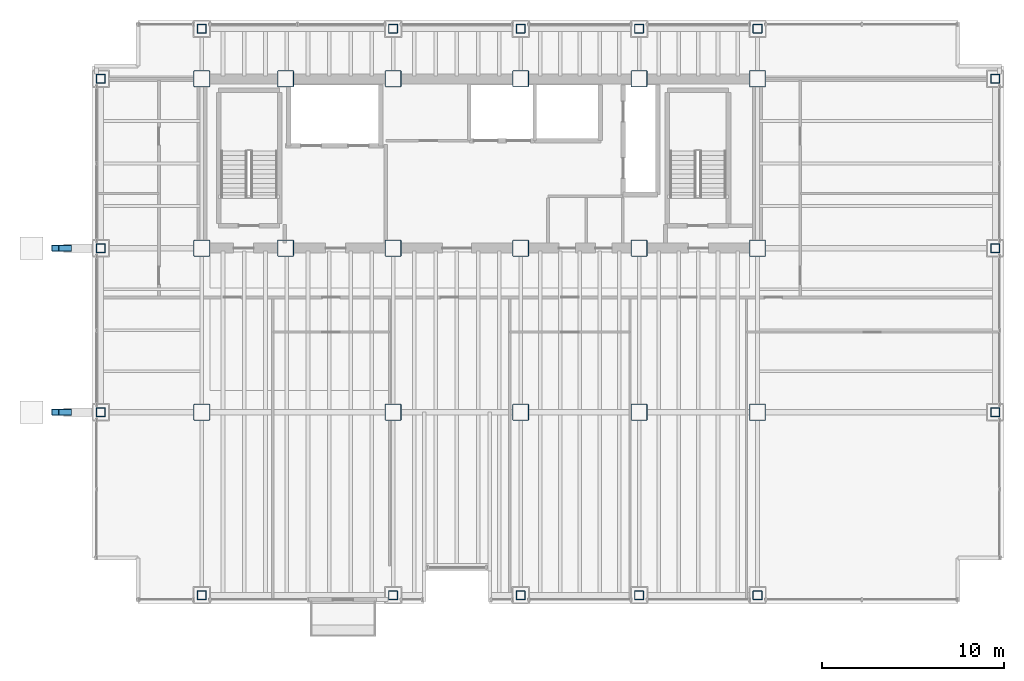
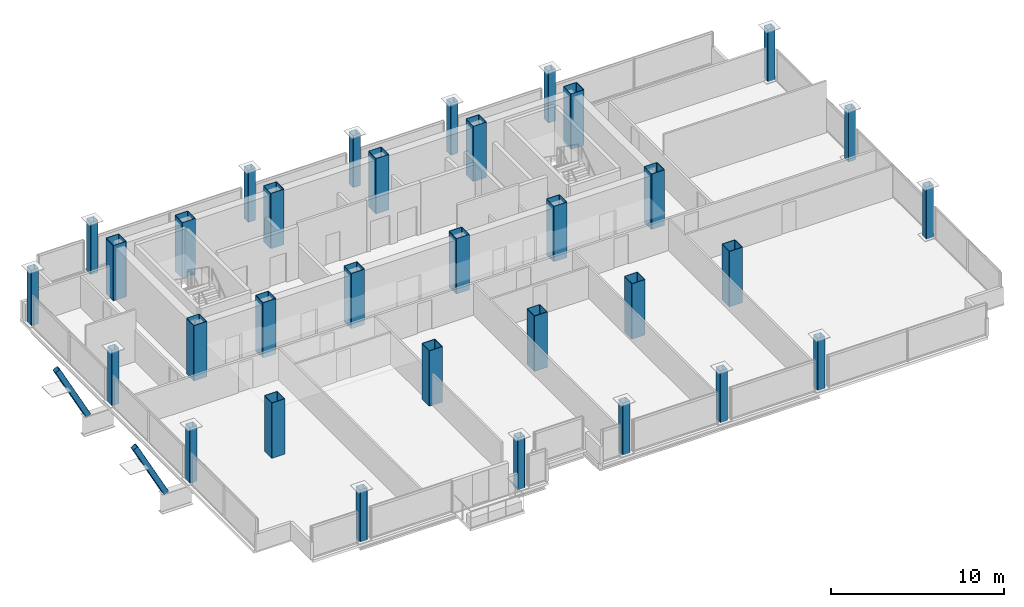
# One storey, part 1 of 21: 35 columns.
"""IFC4 building model written with IfcOpenShell, lengths in metres."""

from ifc_helpers import new_model, si_unit, direction, frame, origin, origin_2d, place, context, subcontext, project, spatial, hollow_rectangle, extrude, material, material_profile, profile_set, type_object, element, save


model = new_model("IFC4")

# Units and contexts
model_context = context("Model", 3, precision=1e-05, world=origin(), true_north=direction((0.0, 1.0)))
body_context = subcontext(model_context, "Body", "Model", "MODEL_VIEW")
ifc_project = project(units=[si_unit("LENGTHUNIT", "METRE"), si_unit("AREAUNIT", "SQUARE_METRE"), si_unit("VOLUMEUNIT", "CUBIC_METRE"), si_unit("PLANEANGLEUNIT", "RADIAN"), si_unit("MASSUNIT", "GRAM", prefix="KILO")], contexts=[model_context])

# Site, building, storey
site_placement = place(None, origin())
site = spatial("IfcSite", under=ifc_project, at=site_placement, CompositionType="ELEMENT")
building_placement = place(site_placement, origin())
building = spatial("IfcBuilding", under=site, at=building_placement, Name="Noeulbin Bourse Tower", CompositionType="ELEMENT")
storey_placement = place(building_placement, frame((0.0, 0.0, 111.0)))
storey = spatial("IfcBuildingStorey", under=building, at=storey_placement, Name="L27", CompositionType="ELEMENT", Elevation=111.0)

# Columns
ifc_material_1 = material(Name="Steel S355", Category="steel")
ifc_material_profile_1 = material_profile(ifc_material_1, hollow_rectangle(XDim=0.35009765625, YDim=0.35009765625, WallThickness=0.01611328125, InnerFilletRadius=0.01611328125, OuterFilletRadius=0.031982421875, at=origin_2d()), Name="SHS-350x350x16", Category="LoadBearing")
ifc_profile_set_1 = profile_set([ifc_material_profile_1], Name="Steel S355")
column_type_1 = type_object("IfcColumnType", Name="COL-CRN-Z5", PredefinedType="COLUMN", material=ifc_profile_set_1)
for number, where, z_axis, x_axis, name in (
    (1, (6.199951171875, 20.0, -0.199951171875), (-0.469065369328, 0.0, 0.883163449933), (0.0, -1.0, 0.0), "Exoskeleton Raking Prop Column L27-01"),
    (2, (6.199951171875, 29.0, -0.199951171875), (-0.469065369328, 0.0, 0.883163449933), (0.0, -1.0, 0.0), "Exoskeleton Raking Prop Column L27-02"),
):
    element("IfcColumn", number, at=place(storey_placement, frame(where, z_axis=z_axis, x_axis=x_axis)), inside=storey, type_object=column_type_1, Name=name, PredefinedType="COLUMN", context=body_context, shape_type="SweptSolid", body=[
        extrude(hollow_rectangle(XDim=0.35009765625, YDim=0.35009765625, WallThickness=0.01611328125, InnerFilletRadius=0.01611328125, OuterFilletRadius=0.031982421875, at=origin_2d()), origin(), (0.0, 0.0, 1.0), 4.37060546875),
    ])
ifc_material_profile_2 = material_profile(ifc_material_1, hollow_rectangle(XDim=0.5, YDim=0.5, WallThickness=0.02392578125, InnerFilletRadius=0.011962890625, OuterFilletRadius=0.035888671875, at=origin_2d()), Name="BOX-500x500x24", Category="LoadBearing")
ifc_profile_set_2 = profile_set([ifc_material_profile_2], Name="Steel S355")
column_type_2 = type_object("IfcColumnType", Name="COL-PER-Z2", PredefinedType="COLUMN", material=ifc_profile_set_2)
for number, where, z_axis, x_axis, name in (
    (3, (7.949951171875, 20.0, 0.0), (0.0, 0.0, 1.0), (1.0, 0.0, 0.0), "Tower Perimeter Column COL-PER-Z2 01"),
    (4, (7.949951171875, 29.0, 0.0), (0.0, 0.0, 1.0), (1.0, 0.0, 0.0), "Tower Perimeter Column COL-PER-Z2 02"),
    (5, (7.949951171875, 38.300048828125, 0.0), (0.0, 0.0, 1.0), (1.0, 0.0, 0.0), "Tower Perimeter Column COL-PER-Z2 03"),
):
    element("IfcColumn", number, at=place(storey_placement, frame(where, z_axis=z_axis, x_axis=x_axis)), inside=storey, type_object=column_type_2, Name=name, PredefinedType="COLUMN", context=body_context, shape_type="SweptSolid", body=[
        extrude(hollow_rectangle(XDim=0.5, YDim=0.5, WallThickness=0.02392578125, InnerFilletRadius=0.011962890625, OuterFilletRadius=0.035888671875, at=origin_2d()), origin(), (0.0, 0.0, 1.0), 3.89990234375),
    ])
for number, where, z_axis, x_axis, name in (
    (6, (13.5, 9.949951171875, 0.0), (0.0, 0.0, 1.0), (1.0, 0.0, 0.0), "Tower Perimeter Column COL-PER-Z2 04"),
    (7, (13.5, 41.050048828125, 0.0), (0.0, 0.0, 1.0), (1.0, 0.0, 0.0), "Tower Perimeter Column COL-PER-Z2 05"),
    (8, (24.0, 9.949951171875, 0.0), (0.0, 0.0, 1.0), (1.0, 0.0, 0.0), "Tower Perimeter Column COL-PER-Z2 06"),
    (9, (24.0, 41.050048828125, 0.0), (0.0, 0.0, 1.0), (1.0, 0.0, 0.0), "Tower Perimeter Column COL-PER-Z2 07"),
    (10, (31.0, 9.949951171875, 0.0), (0.0, 0.0, 1.0), (1.0, 0.0, 0.0), "Tower Perimeter Column COL-PER-Z2 08"),
    (11, (31.0, 41.050048828125, 0.0), (0.0, 0.0, 1.0), (1.0, 0.0, 0.0), "Tower Perimeter Column COL-PER-Z2 09"),
    (12, (37.5, 9.949951171875, 0.0), (0.0, 0.0, 1.0), (1.0, 0.0, 0.0), "Tower Perimeter Column COL-PER-Z2 10"),
    (13, (37.5, 41.050048828125, 0.0), (0.0, 0.0, 1.0), (1.0, 0.0, 0.0), "Tower Perimeter Column COL-PER-Z2 11"),
    (14, (44.0, 9.949951171875, 0.0), (0.0, 0.0, 1.0), (1.0, 0.0, 0.0), "Tower Perimeter Column COL-PER-Z2 12"),
    (15, (44.0, 41.050048828125, 0.0), (0.0, 0.0, 1.0), (1.0, 0.0, 0.0), "Tower Perimeter Column COL-PER-Z2 13"),
    (16, (57.050048828125, 20.0, 0.0), (0.0, 0.0, 1.0), (1.0, 0.0, 0.0), "Tower Perimeter Column COL-PER-Z2 14"),
    (17, (57.050048828125, 29.0, 0.0), (0.0, 0.0, 1.0), (1.0, 0.0, 0.0), "Tower Perimeter Column COL-PER-Z2 15"),
    (18, (57.050048828125, 38.300048828125, 0.0), (0.0, 0.0, 1.0), (1.0, 0.0, 0.0), "Tower Perimeter Column COL-PER-Z2 16"),
):
    element("IfcColumn", number, at=place(storey_placement, frame(where, z_axis=z_axis, x_axis=x_axis)), inside=storey, type_object=column_type_2, Name=name, PredefinedType="COLUMN", context=body_context, shape_type="SweptSolid", body=[
        extrude(hollow_rectangle(XDim=0.5, YDim=0.5, WallThickness=0.02392578125, InnerFilletRadius=0.011962890625, OuterFilletRadius=0.035888671875, at=origin_2d()), origin(), (0.0, 0.0, 1.0), 3.659912109375),
    ])
ifc_material_2 = material(Name="Steel S460", Category="steel")
ifc_material_profile_3 = material_profile(ifc_material_2, hollow_rectangle(XDim=0.89990234375, YDim=0.89990234375, WallThickness=0.034912109375, InnerFilletRadius=0.01708984375, OuterFilletRadius=0.052001953125, at=origin_2d()), Name="BOX-900x900x35", Category="LoadBearing")
ifc_profile_set_3 = profile_set([ifc_material_profile_3], Name="Steel S460")
column_type_3 = type_object("IfcColumnType", Name="COL-TRK-Z2", PredefinedType="COLUMN", material=ifc_profile_set_3)
for number, where, z_axis, x_axis, name in (
    (19, (13.5, 29.0, 0.0), (0.0, 0.0, 1.0), (1.0, 0.0, 0.0), "Tower Trunk Mega-Column COL-TRK-Z2 01"),
    (20, (13.5, 38.300048828125, 0.0), (0.0, 0.0, 1.0), (1.0, 0.0, 0.0), "Tower Trunk Mega-Column COL-TRK-Z2 02"),
    (21, (18.10009765625, 29.0, 0.0), (0.0, 0.0, 1.0), (1.0, 0.0, 0.0), "Tower Trunk Mega-Column COL-TRK-Z2 03"),
    (22, (18.10009765625, 38.300048828125, 0.0), (0.0, 0.0, 1.0), (1.0, 0.0, 0.0), "Tower Trunk Mega-Column COL-TRK-Z2 04"),
    (23, (24.0, 29.0, 0.0), (0.0, 0.0, 1.0), (1.0, 0.0, 0.0), "Tower Trunk Mega-Column COL-TRK-Z2 05"),
    (24, (24.0, 38.300048828125, 0.0), (0.0, 0.0, 1.0), (1.0, 0.0, 0.0), "Tower Trunk Mega-Column COL-TRK-Z2 06"),
    (25, (31.0, 29.0, 0.0), (0.0, 0.0, 1.0), (1.0, 0.0, 0.0), "Tower Trunk Mega-Column COL-TRK-Z2 07"),
    (26, (31.0, 38.300048828125, 0.0), (0.0, 0.0, 1.0), (1.0, 0.0, 0.0), "Tower Trunk Mega-Column COL-TRK-Z2 08"),
    (27, (37.5, 29.0, 0.0), (0.0, 0.0, 1.0), (1.0, 0.0, 0.0), "Tower Trunk Mega-Column COL-TRK-Z2 09"),
    (28, (37.5, 38.300048828125, 0.0), (0.0, 0.0, 1.0), (1.0, 0.0, 0.0), "Tower Trunk Mega-Column COL-TRK-Z2 10"),
    (29, (44.0, 29.0, 0.0), (0.0, 0.0, 1.0), (1.0, 0.0, 0.0), "Tower Trunk Mega-Column COL-TRK-Z2 11"),
    (30, (44.0, 38.300048828125, 0.0), (0.0, 0.0, 1.0), (1.0, 0.0, 0.0), "Tower Trunk Mega-Column COL-TRK-Z2 12"),
    (31, (13.5, 20.0, 0.0), (0.0, 0.0, 1.0), (1.0, 0.0, 0.0), "Tower Trunk Mega-Column COL-TRK-Z2 13"),
    (32, (24.0, 20.0, 0.0), (0.0, 0.0, 1.0), (1.0, 0.0, 0.0), "Tower Trunk Mega-Column COL-TRK-Z2 14"),
    (33, (31.0, 20.0, 0.0), (0.0, 0.0, 1.0), (1.0, 0.0, 0.0), "Tower Trunk Mega-Column COL-TRK-Z2 15"),
    (34, (37.5, 20.0, 0.0), (0.0, 0.0, 1.0), (1.0, 0.0, 0.0), "Tower Trunk Mega-Column COL-TRK-Z2 16"),
    (35, (44.0, 20.0, 0.0), (0.0, 0.0, 1.0), (1.0, 0.0, 0.0), "Tower Trunk Mega-Column COL-TRK-Z2 17"),
):
    element("IfcColumn", number, at=place(storey_placement, frame(where, z_axis=z_axis, x_axis=x_axis)), inside=storey, type_object=column_type_3, Name=name, PredefinedType="COLUMN", context=body_context, shape_type="SweptSolid", body=[
        extrude(hollow_rectangle(XDim=0.89990234375, YDim=0.89990234375, WallThickness=0.034912109375, InnerFilletRadius=0.01708984375, OuterFilletRadius=0.052001953125, at=origin_2d()), origin(), (0.0, 0.0, 1.0), 3.89990234375),
    ])

save(model, "model.ifc")
